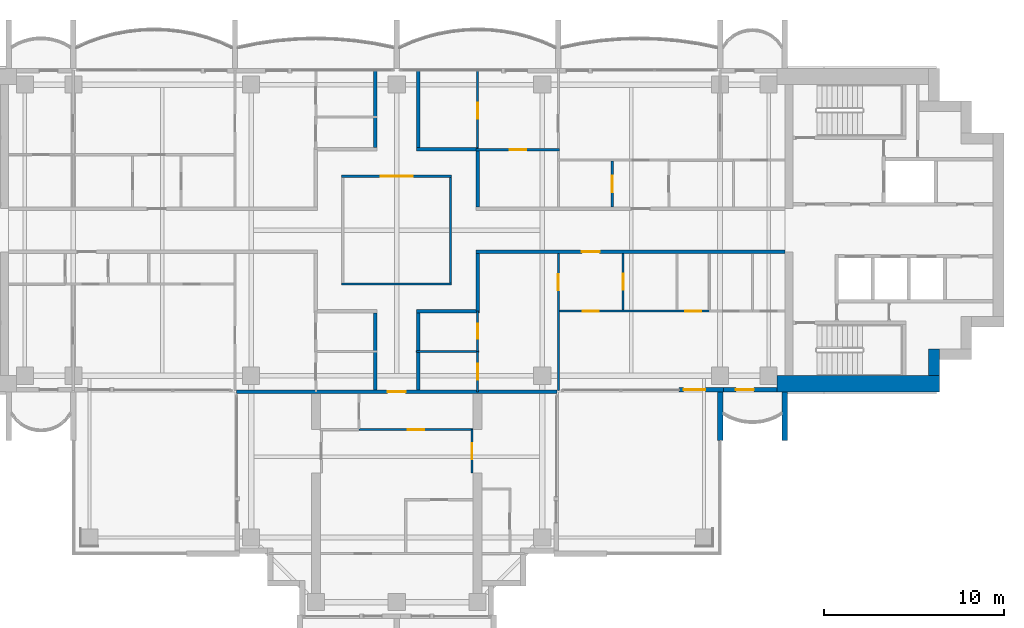
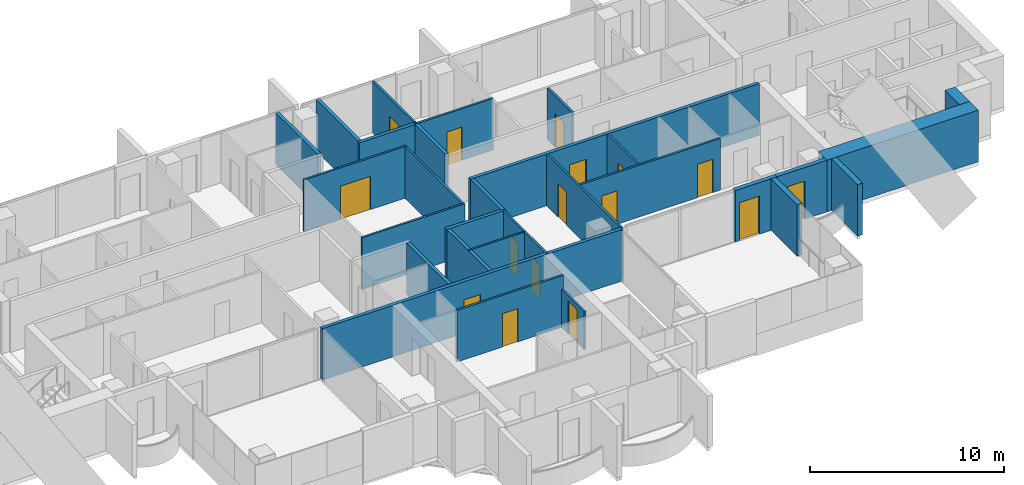
# One storey, part 11 of 18: 30 walls, 16 doors, 16 openings.
"""IFC4 building model written with IfcOpenShell, lengths in metres."""

from ifc_helpers import new_model, si_unit, direction, frame, frame_2d, origin, place, context, subcontext, project, spatial, rectangle, extrude, material, layer, layer_set, type_object, element, fill, save


model = new_model("IFC4")

# Units and contexts
model_context = context("Model", 3, precision=1e-05, world=origin(), true_north=direction((0.0, 1.0)))
body_context = subcontext(model_context, "Body", "Model", "MODEL_VIEW")
ifc_project = project(units=[si_unit("LENGTHUNIT", "METRE"), si_unit("AREAUNIT", "SQUARE_METRE"), si_unit("VOLUMEUNIT", "CUBIC_METRE"), si_unit("PLANEANGLEUNIT", "RADIAN"), si_unit("MASSUNIT", "GRAM", prefix="KILO")], contexts=[model_context])

# Site, building, storey
site_placement = place(None, origin())
site = spatial("IfcSite", under=ifc_project, at=site_placement, CompositionType="ELEMENT")
building_placement = place(site_placement, origin())
building = spatial("IfcBuilding", under=site, at=building_placement, Name="Perihelion Cross Residences", CompositionType="ELEMENT")
storey_placement = place(building_placement, frame((0.0, 0.0, 177.10009765625)))
storey = spatial("IfcBuildingStorey", under=building, at=storey_placement, Name="L43", CompositionType="ELEMENT", Elevation=177.10009765625)

# Walls
ifc_material_1 = material(Name="Plasterboard partition")
ifc_layer_1 = layer(ifc_material_1, 0.199951171875)
ifc_layer_set_1 = layer_set([ifc_layer_1], Name="Apartment separation wall 200")
wall_type_1 = type_object("IfcWallType", Name="Apartment separation wall 200", PredefinedType="PARTITIONING", material=ifc_layer_set_1)
wall_1_placement = place(storey_placement, frame((4.5, 4.416015625, 0.0), z_axis=(0.0, 0.0, 1.0), x_axis=(0.0, -1.0, 0.0)))
element("IfcWall", 1, at=wall_1_placement, inside=storey, type_object=wall_type_1, Name="Partition L43 W006", PredefinedType="PARTITIONING", context=body_context, shape_type="SweptSolid", body=[
    extrude(rectangle(XDim=3.115966796875, YDim=0.199951171875, at=frame_2d((1.55810546875, 0.0))), origin(), (0.0, 0.0, 1.0), 3.25),
])
wall_2_placement = place(storey_placement, frame((1.199951171875, 8.919921875, 0.0), z_axis=(0.0, 0.0, 1.0), x_axis=(0.0, -1.0, 0.0)))
element("IfcWall", 2, at=wall_2_placement, inside=storey, type_object=wall_type_1, Name="Partition L43 W007", PredefinedType="PARTITIONING", context=body_context, shape_type="SweptSolid", body=[
    extrude(rectangle(XDim=4.31982421875, YDim=0.199951171875, at=frame_2d((2.159912109375, 0.0))), origin(), (0.0, 0.0, 1.0), 3.25),
])
wall_3_placement = place(storey_placement, frame((1.10009765625, 4.5, 0.0), z_axis=(0.0, 0.0, 1.0), x_axis=(1.0, 0.0, 0.0)))
element("IfcWall", 3, at=wall_3_placement, inside=storey, type_object=wall_type_1, Name="Partition L43 W008", PredefinedType="PARTITIONING", context=body_context, shape_type="SweptSolid", body=[
    extrude(rectangle(XDim=3.4599609375, YDim=0.199951171875, at=frame_2d((1.72998046875, 0.0))), origin(), (0.0, 0.0, 1.0), 3.25),
])

# Wall, opening, door
wall_4_placement = place(storey_placement, frame((21.60009765625, -1.199951171875, 0.0), z_axis=(0.0, 0.0, 1.0), x_axis=(-1.0, 0.0, 0.0)))
wall_4 = element("IfcWall", 4, at=wall_4_placement, inside=storey, type_object=wall_type_1, Name="Partition L43 W009", PredefinedType="PARTITIONING", context=body_context, shape_type="SweptSolid", body=[
    extrude(rectangle(XDim=17.2001953125, YDim=0.199951171875, at=frame_2d((8.60009765625, 0.0))), origin(), (0.0, 0.0, 1.0), 3.25),
])
opening_1_placement = place(wall_4_placement, frame((10.300048828125, 0.0, 0.0)))
opening_1 = element("IfcOpeningElement", 5, at=opening_1_placement, cuts=wall_4, Name="Opening L43.A41", PredefinedType="OPENING", context=body_context, shape_type="SweptSolid", body=[
    extrude(rectangle(XDim=1.0, YDim=2.10009765625, at=frame_2d((0.5, 1.050048828125))), frame((0.0, 0.10986328125, 0.0), z_axis=(0.0, -1.0, 0.0), x_axis=(1.0, 0.0, 0.0)), (0.0, 0.0, 1.0), 0.219970703125),
])
ifc_material_2 = material(Name="Timber door leaf", Category="wood")
door_type_1 = type_object("IfcDoorType", Name="Flat entrance door 1000 x 2100", OperationType="SINGLE_SWING_LEFT", PredefinedType="DOOR", material=ifc_material_2)
door_1_placement = place(opening_1_placement, origin())
door_1 = element("IfcDoor", 6, at=door_1_placement, inside=storey, type_object=door_type_1, Name="Door L43.A41", OperationType="SINGLE_SWING_LEFT", OverallHeight=2.10009765625, OverallWidth=1.0, PredefinedType="DOOR", context=body_context, shape_type="SweptSolid", body=[
    extrude(rectangle(XDim=1.0, YDim=2.10009765625, at=frame_2d((0.5, 1.050048828125))), frame((0.0, 0.02490234375, 0.0), z_axis=(0.0, -1.0, 0.0), x_axis=(1.0, 0.0, 0.0)), (0.0, 0.0, 1.0), 0.050048828125),
])
fill(opening_1, door_1)

# Walls
wall_5_placement = place(storey_placement, frame((4.5, -1.300048828125, 0.0), z_axis=(0.0, 0.0, 1.0), x_axis=(0.0, -1.0, 0.0)))
element("IfcWall", 7, at=wall_5_placement, inside=storey, type_object=wall_type_1, Name="Partition L43 W010", PredefinedType="PARTITIONING", context=body_context, shape_type="SweptSolid", body=[
    extrude(rectangle(XDim=3.199951171875, YDim=0.199951171875, at=frame_2d((1.60009765625, 0.0))), origin(), (0.0, 0.0, 1.0), 3.25),
])
wall_6_placement = place(storey_placement, frame((4.60009765625, -4.5, 0.0), z_axis=(0.0, 0.0, 1.0), x_axis=(-1.0, 0.0, 0.0)))
element("IfcWall", 8, at=wall_6_placement, inside=storey, type_object=wall_type_1, Name="Partition L43 W011", PredefinedType="PARTITIONING", context=body_context, shape_type="SweptSolid", body=[
    extrude(rectangle(XDim=3.5, YDim=0.199951171875, at=frame_2d((1.75, 0.0))), origin(), (0.0, 0.0, 1.0), 3.25),
])
wall_7_placement = place(storey_placement, frame((1.199951171875, -4.60009765625, 0.0), z_axis=(0.0, 0.0, 1.0), x_axis=(0.0, -1.0, 0.0)))
element("IfcWall", 9, at=wall_7_placement, inside=storey, type_object=wall_type_1, Name="Partition L43 W012", PredefinedType="PARTITIONING", context=body_context, shape_type="SweptSolid", body=[
    extrude(rectangle(XDim=4.2998046875, YDim=0.199951171875, at=frame_2d((2.14990234375, 0.0))), origin(), (0.0, 0.0, 1.0), 3.25),
])
wall_8_placement = place(storey_placement, frame((-1.199951171875, 4.60009765625, 0.0), z_axis=(0.0, 0.0, 1.0), x_axis=(0.0, 1.0, 0.0)))
element("IfcWall", 10, at=wall_8_placement, inside=storey, type_object=wall_type_1, Name="Partition L43 W016", PredefinedType="PARTITIONING", context=body_context, shape_type="SweptSolid", body=[
    extrude(rectangle(XDim=4.31982421875, YDim=0.199951171875, at=frame_2d((2.159912109375, 0.0))), origin(), (0.0, 0.0, 1.0), 3.25),
])
wall_9_placement = place(storey_placement, frame((-1.199951171875, -8.89990234375, 0.0), z_axis=(0.0, 0.0, 1.0), x_axis=(0.0, 1.0, 0.0)))
element("IfcWall", 11, at=wall_9_placement, inside=storey, type_object=wall_type_1, Name="Partition L43 W019", PredefinedType="PARTITIONING", context=body_context, shape_type="SweptSolid", body=[
    extrude(rectangle(XDim=4.2998046875, YDim=0.199951171875, at=frame_2d((2.14990234375, 0.0))), origin(), (0.0, 0.0, 1.0), 3.25),
])

# Wall, opening, door
wall_10_placement = place(storey_placement, frame((8.919921875, -9.0, 0.0), z_axis=(0.0, 0.0, 1.0), x_axis=(-1.0, 0.0, 0.0)))
wall_10 = element("IfcWall", 12, at=wall_10_placement, inside=storey, type_object=wall_type_1, Name="Partition L43 W021", PredefinedType="PARTITIONING", context=body_context, shape_type="SweptSolid", body=[
    extrude(rectangle(XDim=17.83984375, YDim=0.199951171875, at=frame_2d((8.919921875, 0.0))), origin(), (0.0, 0.0, 1.0), 3.25),
])
opening_2_placement = place(wall_10_placement, frame((8.419921875, 0.0, 0.0)))
opening_2 = element("IfcOpeningElement", 13, at=opening_2_placement, cuts=wall_10, Name="Opening L43.A34", PredefinedType="OPENING", context=body_context, shape_type="SweptSolid", body=[
    extrude(rectangle(XDim=1.0, YDim=2.10009765625, at=frame_2d((0.5, 1.050048828125))), frame((0.0, 0.10986328125, 0.0), z_axis=(0.0, -1.0, 0.0), x_axis=(1.0, 0.0, 0.0)), (0.0, 0.0, 1.0), 0.219970703125),
])
door_2_placement = place(opening_2_placement, origin())
door_2 = element("IfcDoor", 14, at=door_2_placement, inside=storey, type_object=door_type_1, Name="Door L43.A34", OperationType="SINGLE_SWING_RIGHT", OverallHeight=2.10009765625, OverallWidth=1.0, PredefinedType="DOOR", context=body_context, shape_type="SweptSolid", body=[
    extrude(rectangle(XDim=1.0, YDim=2.10009765625, at=frame_2d((0.5, 1.050048828125))), frame((0.0, 0.02490234375, 0.0), z_axis=(0.0, -1.0, 0.0), x_axis=(1.0, 0.0, 0.0)), (0.0, 0.0, 1.0), 0.050048828125),
])
fill(opening_2, door_2)

ifc_material_3 = material(Name="Concrete C30/37, bronze-clad", Category="concrete")
ifc_layer_2 = layer(ifc_material_3, 0.25)
ifc_layer_set_2 = layer_set([ifc_layer_2], Name="Bronze-clad pier wall 250")
wall_type_2 = type_object("IfcWallType", Name="Bronze-clad pier wall 250", PredefinedType="SOLIDWALL", material=ifc_layer_set_2)
wall_11_placement = place(storey_placement, frame((15.72509765625, -8.875, 0.0), z_axis=(0.0, 0.0, 1.0), x_axis=(1.0, 0.0, 0.0)))
wall_11 = element("IfcWall", 15, at=wall_11_placement, inside=storey, type_object=wall_type_2, Name="Wall FW1 L43 east side south bay 1 pier", PredefinedType="SOLIDWALL", context=body_context, shape_type="SweptSolid", body=[
    extrude(rectangle(XDim=2.474853515625, YDim=0.25, at=frame_2d((1.2373046875, 0.0))), origin(), (0.0, 0.0, 1.0), 3.25),
])
opening_3_placement = place(wall_11_placement, frame((0.25, 0.0, 0.0)))
opening_3 = element("IfcOpeningElement", 16, at=opening_3_placement, cuts=wall_11, Name="Opening L43.E13", PredefinedType="OPENING", context=body_context, shape_type="SweptSolid", body=[
    extrude(rectangle(XDim=1.199951171875, YDim=2.39990234375, at=frame_2d((0.60009765625, 1.199951171875))), frame((0.0, 0.135009765625, 0.0), z_axis=(0.0, -1.0, 0.0), x_axis=(1.0, 0.0, 0.0)), (0.0, 0.0, 1.0), 0.27001953125),
])
ifc_material_4 = material(Name="Bronze anodised aluminium, glazed", Category="aluminium")
door_type_2 = type_object("IfcDoorType", Name="Balcony door 1200 x 2400", OperationType="NOTDEFINED", PredefinedType="DOOR", material=ifc_material_4)
door_3_placement = place(opening_3_placement, origin())
door_3 = element("IfcDoor", 17, at=door_3_placement, inside=storey, type_object=door_type_2, Name="Door L43.E13 east side south bay 1", OperationType="SINGLE_SWING_LEFT", OverallHeight=2.39990234375, OverallWidth=1.199951171875, PredefinedType="DOOR", context=body_context, shape_type="SweptSolid", body=[
    extrude(rectangle(XDim=1.199951171875, YDim=2.39990234375, at=frame_2d((0.60009765625, 1.199951171875))), frame((0.0, 0.02490234375, 0.0), z_axis=(0.0, -1.0, 0.0), x_axis=(1.0, 0.0, 0.0)), (0.0, 0.0, 1.0), 0.050048828125),
])
fill(opening_3, door_3)

wall_12_placement = place(storey_placement, frame((18.199951171875, -8.875, 0.0), z_axis=(0.0, 0.0, 1.0), x_axis=(1.0, 0.0, 0.0)))
wall_12 = element("IfcWall", 18, at=wall_12_placement, inside=storey, type_object=wall_type_2, Name="Wall FW1 L43 east side south bay 2 pier", PredefinedType="SOLIDWALL", context=body_context, shape_type="SweptSolid", body=[
    extrude(rectangle(XDim=2.97509765625, YDim=0.25, at=frame_2d((1.487548828125, 0.0))), origin(), (0.0, 0.0, 1.0), 3.25),
])
opening_4_placement = place(wall_12_placement, frame((0.675048828125, 0.0, 0.0)))
opening_4 = element("IfcOpeningElement", 19, at=opening_4_placement, cuts=wall_12, Name="Opening L43.E14", PredefinedType="OPENING", context=body_context, shape_type="SweptSolid", body=[
    extrude(rectangle(XDim=1.0, YDim=2.39990234375, at=frame_2d((0.5, 1.199951171875))), frame((0.0, 0.135009765625, 0.0), z_axis=(0.0, -1.0, 0.0), x_axis=(1.0, 0.0, 0.0)), (0.0, 0.0, 1.0), 0.27001953125),
])
ifc_material_5 = material(Name="Bronze anodised aluminium, glazed", Category="aluminium")
door_type_3 = type_object("IfcDoorType", Name="Balcony door 1000 x 2400", OperationType="NOTDEFINED", PredefinedType="DOOR", material=ifc_material_5)
door_4_placement = place(opening_4_placement, origin())
door_4 = element("IfcDoor", 20, at=door_4_placement, inside=storey, type_object=door_type_3, Name="Door L43.E14 east side south bay 2", OperationType="SINGLE_SWING_RIGHT", OverallHeight=2.39990234375, OverallWidth=1.0, PredefinedType="DOOR", context=body_context, shape_type="SweptSolid", body=[
    extrude(rectangle(XDim=1.0, YDim=2.39990234375, at=frame_2d((0.5, 1.199951171875))), frame((0.0, 0.02490234375, 0.0), z_axis=(0.0, -1.0, 0.0), x_axis=(1.0, 0.0, 0.0)), (0.0, 0.0, 1.0), 0.050048828125),
])
fill(opening_4, door_4)

# Walls
ifc_material_6 = material(Name="Concrete C60/75", Category="concrete")
ifc_layer_3 = layer(ifc_material_6, 0.60009765625)
ifc_layer_set_3 = layer_set([ifc_layer_3], Name="Core wall, outer 600")
wall_type_3 = type_object("IfcWallType", Name="Core wall, outer 600", PredefinedType="SHEAR", material=ifc_layer_set_3)
wall_13_placement = place(storey_placement, frame((29.89990234375, -8.10009765625, 0.0), z_axis=(0.0, 0.0, 1.0), x_axis=(0.0, 1.0, 0.0)))
element("IfcWall", 21, at=wall_13_placement, inside=storey, type_object=wall_type_3, Name="East core core wall, outer", PredefinedType="SHEAR", context=body_context, shape_type="SweptSolid", body=[
    extrude(rectangle(XDim=1.5, YDim=0.60009765625, at=frame_2d((0.75, 0.0))), origin(), (0.0, 0.0, 1.0), 3.25),
])
ifc_material_7 = material(Name="Concrete C60/75", Category="concrete")
ifc_layer_4 = layer(ifc_material_7, 0.89990234375)
ifc_layer_set_4 = layer_set([ifc_layer_4], Name="Core wall, outer 900")
wall_type_4 = type_object("IfcWallType", Name="Core wall, outer 900", PredefinedType="SHEAR", material=ifc_layer_set_4)
wall_14_placement = place(storey_placement, frame((21.175048828125, -8.550048828125, 0.0), z_axis=(0.0, 0.0, 1.0), x_axis=(1.0, 0.0, 0.0)))
element("IfcWall", 22, at=wall_14_placement, inside=storey, type_object=wall_type_4, Name="East core core wall, outer", PredefinedType="SHEAR", context=body_context, shape_type="SweptSolid", body=[
    extrude(rectangle(XDim=9.02490234375, YDim=0.89990234375, at=frame_2d((4.512451171875, 0.0))), origin(), (0.0, 0.0, 1.0), 3.25),
])

# Wall, opening, door
ifc_material_8 = material(Name="Plasterboard partition")
ifc_layer_5 = layer(ifc_material_8, 0.1201171875)
ifc_layer_set_5 = layer_set([ifc_layer_5], Name="Infill panel 120")
wall_type_5 = type_object("IfcWallType", Name="Infill panel 120", PredefinedType="PARTITIONING", material=ifc_layer_set_5)
wall_15_placement = place(storey_placement, frame((4.18994140625, -11.10009765625, 0.0), z_axis=(0.0, 0.0, 1.0), x_axis=(0.0, -1.0, 0.0)))
wall_15 = element("IfcWall", 23, at=wall_15_placement, inside=storey, type_object=wall_type_5, Name="Partition L43 WI01", PredefinedType="PARTITIONING", context=body_context, shape_type="SweptSolid", body=[
    extrude(rectangle(XDim=2.39990234375, YDim=0.1201171875, at=frame_2d((1.199951171875, 0.0))), origin(), (0.0, 0.0, 1.0), 2.39990234375),
])
opening_5_placement = place(wall_15_placement, frame((0.75, 0.0, 0.0)))
opening_5 = element("IfcOpeningElement", 24, at=opening_5_placement, cuts=wall_15, Name="Opening L43.A44", PredefinedType="OPENING", context=body_context, shape_type="SweptSolid", body=[
    extrude(rectangle(XDim=0.89990234375, YDim=2.10009765625, at=frame_2d((0.449951171875, 1.050048828125))), frame((0.0, 0.070068359375, 0.0), z_axis=(0.0, -1.0, 0.0), x_axis=(1.0, 0.0, 0.0)), (0.0, 0.0, 1.0), 0.14013671875),
])
ifc_material_9 = material(Name="Timber door leaf", Category="wood")
door_type_4 = type_object("IfcDoorType", Name="Interior room door 900 x 2100", OperationType="SINGLE_SWING_LEFT", PredefinedType="DOOR", material=ifc_material_9)
door_5_placement = place(opening_5_placement, origin())
door_5 = element("IfcDoor", 25, at=door_5_placement, inside=storey, type_object=door_type_4, Name="Door L43.A44", OperationType="SINGLE_SWING_LEFT", OverallHeight=2.10009765625, OverallWidth=0.89990234375, PredefinedType="DOOR", context=body_context, shape_type="SweptSolid", body=[
    extrude(rectangle(XDim=0.89990234375, YDim=2.10009765625, at=frame_2d((0.449951171875, 1.050048828125))), frame((0.0, 0.02490234375, 0.0), z_axis=(0.0, -1.0, 0.0), x_axis=(1.0, 0.0, 0.0)), (0.0, 0.0, 1.0), 0.050048828125),
])
fill(opening_5, door_5)

# Walls
ifc_material_10 = material(Name="Plasterboard partition")
ifc_layer_6 = layer(ifc_material_10, 0.1201171875)
ifc_layer_set_6 = layer_set([ifc_layer_6], Name="Partition wall 120")
wall_type_6 = type_object("IfcWallType", Name="Partition wall 120", PredefinedType="PARTITIONING", material=ifc_layer_set_6)
wall_16_placement = place(storey_placement, frame((-3.06005859375, -3.0, 0.0), z_axis=(0.0, 0.0, 1.0), x_axis=(1.0, 0.0, 0.0)))
element("IfcWall", 26, at=wall_16_placement, inside=storey, type_object=wall_type_6, Name="Partition L43 W001", PredefinedType="PARTITIONING", context=body_context, shape_type="SweptSolid", body=[
    extrude(rectangle(XDim=6.1201171875, YDim=0.1201171875, at=frame_2d((3.06005859375, 0.0))), origin(), (0.0, 0.0, 1.0), 3.25),
])
wall_17_placement = place(storey_placement, frame((3.0, -2.93994140625, 0.0), z_axis=(0.0, 0.0, 1.0), x_axis=(0.0, 1.0, 0.0)))
element("IfcWall", 27, at=wall_17_placement, inside=storey, type_object=wall_type_6, Name="Partition L43 W002", PredefinedType="PARTITIONING", context=body_context, shape_type="SweptSolid", body=[
    extrude(rectangle(XDim=5.8798828125, YDim=0.1201171875, at=frame_2d((2.93994140625, 0.0))), origin(), (0.0, 0.0, 1.0), 3.25),
])

# Wall, opening, door
wall_18_placement = place(storey_placement, frame((3.06005859375, 3.0, 0.0), z_axis=(0.0, 0.0, 1.0), x_axis=(-1.0, 0.0, 0.0)))
wall_18 = element("IfcWall", 28, at=wall_18_placement, inside=storey, type_object=wall_type_6, Name="Partition L43 W003", PredefinedType="PARTITIONING", context=body_context, shape_type="SweptSolid", body=[
    extrude(rectangle(XDim=6.1201171875, YDim=0.1201171875, at=frame_2d((3.06005859375, 0.0))), origin(), (0.0, 0.0, 1.0), 3.25),
])
opening_6_placement = place(wall_18_placement, frame((2.159912109375, 0.0, 0.0)))
opening_6 = element("IfcOpeningElement", 29, at=opening_6_placement, cuts=wall_18, Name="Opening L43.A01", PredefinedType="OPENING", context=body_context, shape_type="SweptSolid", body=[
    extrude(rectangle(XDim=1.800048828125, YDim=2.10009765625, at=frame_2d((0.89990234375, 1.050048828125))), frame((0.0, 0.070068359375, 0.0), z_axis=(0.0, -1.0, 0.0), x_axis=(1.0, 0.0, 0.0)), (0.0, 0.0, 1.0), 0.14013671875),
])
ifc_material_11 = material(Name="Glazed timber door leaf", Category="wood")
door_type_5 = type_object("IfcDoorType", Name="Interior double leaf door 1800 x 2100", OperationType="DOUBLE_DOOR_SINGLE_SWING", PredefinedType="DOOR", material=ifc_material_11)
door_6_placement = place(opening_6_placement, origin())
door_6 = element("IfcDoor", 30, at=door_6_placement, inside=storey, type_object=door_type_5, Name="Door L43.A01", OperationType="SINGLE_SWING_LEFT", OverallHeight=2.10009765625, OverallWidth=1.800048828125, PredefinedType="DOOR", context=body_context, shape_type="SweptSolid", body=[
    extrude(rectangle(XDim=1.800048828125, YDim=2.10009765625, at=frame_2d((0.89990234375, 1.050048828125))), frame((0.0, 0.02490234375, 0.0), z_axis=(0.0, -1.0, 0.0), x_axis=(1.0, 0.0, 0.0)), (0.0, 0.0, 1.0), 0.050048828125),
])
fill(opening_6, door_6)

wall_19_placement = place(storey_placement, frame((12.0, 3.840087890625, 0.0), z_axis=(0.0, 0.0, 1.0), x_axis=(0.0, -1.0, 0.0)))
wall_19 = element("IfcWall", 31, at=wall_19_placement, inside=storey, type_object=wall_type_6, Name="Partition L43 W022", PredefinedType="PARTITIONING", context=body_context, shape_type="SweptSolid", body=[
    extrude(rectangle(XDim=2.5400390625, YDim=0.1201171875, at=frame_2d((1.27001953125, 0.0))), origin(), (0.0, 0.0, 1.0), 3.25),
])
opening_7_placement = place(wall_19_placement, frame((0.820068359375, 0.0, 0.0)))
opening_7 = element("IfcOpeningElement", 32, at=opening_7_placement, cuts=wall_19, Name="Opening L43.A03", PredefinedType="OPENING", context=body_context, shape_type="SweptSolid", body=[
    extrude(rectangle(XDim=0.89990234375, YDim=2.10009765625, at=frame_2d((0.449951171875, 1.050048828125))), frame((0.0, 0.070068359375, 0.0), z_axis=(0.0, -1.0, 0.0), x_axis=(1.0, 0.0, 0.0)), (0.0, 0.0, 1.0), 0.14013671875),
])
door_7_placement = place(opening_7_placement, origin())
door_7 = element("IfcDoor", 33, at=door_7_placement, inside=storey, type_object=door_type_4, Name="Door L43.A03", OperationType="SINGLE_SWING_RIGHT", OverallHeight=2.10009765625, OverallWidth=0.89990234375, PredefinedType="DOOR", context=body_context, shape_type="SweptSolid", body=[
    extrude(rectangle(XDim=0.89990234375, YDim=2.10009765625, at=frame_2d((0.449951171875, 1.050048828125))), frame((0.0, 0.02490234375, 0.0), z_axis=(0.0, -1.0, 0.0), x_axis=(1.0, 0.0, 0.0)), (0.0, 0.0, 1.0), 0.050048828125),
])
fill(opening_7, door_7)

wall_20_placement = place(storey_placement, frame((4.39990234375, 4.47607421875, 0.0), z_axis=(0.0, 0.0, 1.0), x_axis=(1.0, 0.0, 0.0)))
wall_20 = element("IfcWall", 34, at=wall_20_placement, inside=storey, type_object=wall_type_6, Name="Partition L43 W030", PredefinedType="PARTITIONING", context=body_context, shape_type="SweptSolid", body=[
    extrude(rectangle(XDim=4.66015625, YDim=0.1201171875, at=frame_2d((2.330078125, 0.0))), origin(), (0.0, 0.0, 1.0), 3.25),
])
opening_8_placement = place(wall_20_placement, frame((1.89990234375, 0.0, 0.0)))
opening_8 = element("IfcOpeningElement", 35, at=opening_8_placement, cuts=wall_20, Name="Opening L43.A04", PredefinedType="OPENING", context=body_context, shape_type="SweptSolid", body=[
    extrude(rectangle(XDim=0.89990234375, YDim=2.10009765625, at=frame_2d((0.449951171875, 1.050048828125))), frame((0.0, 0.070068359375, 0.0), z_axis=(0.0, -1.0, 0.0), x_axis=(1.0, 0.0, 0.0)), (0.0, 0.0, 1.0), 0.14013671875),
])
door_8_placement = place(opening_8_placement, origin())
door_8 = element("IfcDoor", 36, at=door_8_placement, inside=storey, type_object=door_type_4, Name="Door L43.A04", OperationType="SINGLE_SWING_LEFT", OverallHeight=2.10009765625, OverallWidth=0.89990234375, PredefinedType="DOOR", context=body_context, shape_type="SweptSolid", body=[
    extrude(rectangle(XDim=0.89990234375, YDim=2.10009765625, at=frame_2d((0.449951171875, 1.050048828125))), frame((0.0, 0.02490234375, 0.0), z_axis=(0.0, -1.0, 0.0), x_axis=(1.0, 0.0, 0.0)), (0.0, 0.0, 1.0), 0.050048828125),
])
fill(opening_8, door_8)

wall_21_placement = place(storey_placement, frame((4.5, 4.60009765625, 0.0), z_axis=(0.0, 0.0, 1.0), x_axis=(0.0, 1.0, 0.0)))
wall_21 = element("IfcWall", 37, at=wall_21_placement, inside=storey, type_object=wall_type_6, Name="Partition L43 W031", PredefinedType="PARTITIONING", context=body_context, shape_type="SweptSolid", body=[
    extrude(rectangle(XDim=4.31982421875, YDim=0.1201171875, at=frame_2d((2.159912109375, 0.0))), origin(), (0.0, 0.0, 1.0), 3.25),
])
opening_9_placement = place(wall_21_placement, frame((1.60009765625, 0.0, 0.0)))
opening_9 = element("IfcOpeningElement", 38, at=opening_9_placement, cuts=wall_21, Name="Opening L43.A05", PredefinedType="OPENING", context=body_context, shape_type="SweptSolid", body=[
    extrude(rectangle(XDim=0.89990234375, YDim=2.10009765625, at=frame_2d((0.449951171875, 1.050048828125))), frame((0.0, 0.070068359375, 0.0), z_axis=(0.0, -1.0, 0.0), x_axis=(1.0, 0.0, 0.0)), (0.0, 0.0, 1.0), 0.14013671875),
])
door_9_placement = place(opening_9_placement, origin())
door_9 = element("IfcDoor", 39, at=door_9_placement, inside=storey, type_object=door_type_4, Name="Door L43.A05", OperationType="SINGLE_SWING_LEFT", OverallHeight=2.10009765625, OverallWidth=0.89990234375, PredefinedType="DOOR", context=body_context, shape_type="SweptSolid", body=[
    extrude(rectangle(XDim=0.89990234375, YDim=2.10009765625, at=frame_2d((0.449951171875, 1.050048828125))), frame((0.0, 0.02490234375, 0.0), z_axis=(0.0, -1.0, 0.0), x_axis=(1.0, 0.0, 0.0)), (0.0, 0.0, 1.0), 0.050048828125),
])
fill(opening_9, door_9)

wall_22_placement = place(storey_placement, frame((12.60009765625, -1.300048828125, 0.0), z_axis=(0.0, 0.0, 1.0), x_axis=(0.0, -1.0, 0.0)))
wall_22 = element("IfcWall", 40, at=wall_22_placement, inside=storey, type_object=wall_type_6, Name="Partition L43 W032", PredefinedType="PARTITIONING", context=body_context, shape_type="SweptSolid", body=[
    extrude(rectangle(XDim=3.139892578125, YDim=0.1201171875, at=frame_2d((1.56982421875, 0.0))), origin(), (0.0, 0.0, 1.0), 3.25),
])
opening_10_placement = place(wall_22_placement, frame((1.1201171875, 0.0, 0.0)))
opening_10 = element("IfcOpeningElement", 41, at=opening_10_placement, cuts=wall_22, Name="Opening L43.A14", PredefinedType="OPENING", context=body_context, shape_type="SweptSolid", body=[
    extrude(rectangle(XDim=0.89990234375, YDim=2.10009765625, at=frame_2d((0.449951171875, 1.050048828125))), frame((0.0, 0.070068359375, 0.0), z_axis=(0.0, -1.0, 0.0), x_axis=(1.0, 0.0, 0.0)), (0.0, 0.0, 1.0), 0.14013671875),
])
door_10_placement = place(opening_10_placement, origin())
door_10 = element("IfcDoor", 42, at=door_10_placement, inside=storey, type_object=door_type_4, Name="Door L43.A14", OperationType="SINGLE_SWING_RIGHT", OverallHeight=2.10009765625, OverallWidth=0.89990234375, PredefinedType="DOOR", context=body_context, shape_type="SweptSolid", body=[
    extrude(rectangle(XDim=0.89990234375, YDim=2.10009765625, at=frame_2d((0.449951171875, 1.050048828125))), frame((0.0, 0.02490234375, 0.0), z_axis=(0.0, -1.0, 0.0), x_axis=(1.0, 0.0, 0.0)), (0.0, 0.0, 1.0), 0.050048828125),
])
fill(opening_10, door_10)

# Wall, openings, doors
wall_23_placement = place(storey_placement, frame((17.39990234375, -4.5, 0.0), z_axis=(0.0, 0.0, 1.0), x_axis=(-1.0, 0.0, 0.0)))
wall_23 = element("IfcWall", 43, at=wall_23_placement, inside=storey, type_object=wall_type_6, Name="Partition L43 W033", PredefinedType="PARTITIONING", context=body_context, shape_type="SweptSolid", body=[
    extrude(rectangle(XDim=8.4599609375, YDim=0.1201171875, at=frame_2d((4.22998046875, 0.0))), origin(), (0.0, 0.0, 1.0), 3.25),
])
opening_11_placement = place(wall_23_placement, frame((0.449951171875, 0.0, 0.0)))
opening_11 = element("IfcOpeningElement", 44, at=opening_11_placement, cuts=wall_23, Name="Opening L43.A15", PredefinedType="OPENING", context=body_context, shape_type="SweptSolid", body=[
    extrude(rectangle(XDim=0.89990234375, YDim=2.10009765625, at=frame_2d((0.449951171875, 1.050048828125))), frame((0.0, 0.070068359375, 0.0), z_axis=(0.0, -1.0, 0.0), x_axis=(1.0, 0.0, 0.0)), (0.0, 0.0, 1.0), 0.14013671875),
])
opening_12_placement = place(wall_23_placement, frame((6.14990234375, 0.0, 0.0)))
opening_12 = element("IfcOpeningElement", 45, at=opening_12_placement, cuts=wall_23, Name="Opening L43.A17", PredefinedType="OPENING", context=body_context, shape_type="SweptSolid", body=[
    extrude(rectangle(XDim=0.89990234375, YDim=2.10009765625, at=frame_2d((0.449951171875, 1.050048828125))), frame((0.0, 0.070068359375, 0.0), z_axis=(0.0, -1.0, 0.0), x_axis=(1.0, 0.0, 0.0)), (0.0, 0.0, 1.0), 0.14013671875),
])
door_11_placement = place(opening_11_placement, origin())
door_11 = element("IfcDoor", 46, at=door_11_placement, inside=storey, type_object=door_type_4, Name="Door L43.A15", OperationType="SINGLE_SWING_RIGHT", OverallHeight=2.10009765625, OverallWidth=0.89990234375, PredefinedType="DOOR", context=body_context, shape_type="SweptSolid", body=[
    extrude(rectangle(XDim=0.89990234375, YDim=2.10009765625, at=frame_2d((0.449951171875, 1.050048828125))), frame((0.0, 0.02490234375, 0.0), z_axis=(0.0, -1.0, 0.0), x_axis=(1.0, 0.0, 0.0)), (0.0, 0.0, 1.0), 0.050048828125),
])
fill(opening_11, door_11)
door_12_placement = place(opening_12_placement, origin())
door_12 = element("IfcDoor", 47, at=door_12_placement, inside=storey, type_object=door_type_4, Name="Door L43.A17", OperationType="SINGLE_SWING_RIGHT", OverallHeight=2.10009765625, OverallWidth=0.89990234375, PredefinedType="DOOR", context=body_context, shape_type="SweptSolid", body=[
    extrude(rectangle(XDim=0.89990234375, YDim=2.10009765625, at=frame_2d((0.449951171875, 1.050048828125))), frame((0.0, 0.02490234375, 0.0), z_axis=(0.0, -1.0, 0.0), x_axis=(1.0, 0.0, 0.0)), (0.0, 0.0, 1.0), 0.050048828125),
])
fill(opening_12, door_12)

# Wall, opening, door
wall_24_placement = place(storey_placement, frame((9.0, -8.919921875, 0.0), z_axis=(0.0, 0.0, 1.0), x_axis=(0.0, 1.0, 0.0)))
wall_24 = element("IfcWall", 48, at=wall_24_placement, inside=storey, type_object=wall_type_6, Name="Partition L43 W034", PredefinedType="PARTITIONING", context=body_context, shape_type="SweptSolid", body=[
    extrude(rectangle(XDim=7.619873046875, YDim=0.1201171875, at=frame_2d((3.81005859375, 0.0))), origin(), (0.0, 0.0, 1.0), 3.25),
])
opening_13_placement = place(wall_24_placement, frame((5.570068359375, 0.0, 0.0)))
opening_13 = element("IfcOpeningElement", 49, at=opening_13_placement, cuts=wall_24, Name="Opening L43.A13", PredefinedType="OPENING", context=body_context, shape_type="SweptSolid", body=[
    extrude(rectangle(XDim=0.89990234375, YDim=2.10009765625, at=frame_2d((0.449951171875, 1.050048828125))), frame((0.0, 0.070068359375, 0.0), z_axis=(0.0, -1.0, 0.0), x_axis=(1.0, 0.0, 0.0)), (0.0, 0.0, 1.0), 0.14013671875),
])
door_13_placement = place(opening_13_placement, origin())
door_13 = element("IfcDoor", 50, at=door_13_placement, inside=storey, type_object=door_type_4, Name="Door L43.A13", OperationType="SINGLE_SWING_LEFT", OverallHeight=2.10009765625, OverallWidth=0.89990234375, PredefinedType="DOOR", context=body_context, shape_type="SweptSolid", body=[
    extrude(rectangle(XDim=0.89990234375, YDim=2.10009765625, at=frame_2d((0.449951171875, 1.050048828125))), frame((0.0, 0.02490234375, 0.0), z_axis=(0.0, -1.0, 0.0), x_axis=(1.0, 0.0, 0.0)), (0.0, 0.0, 1.0), 0.050048828125),
])
fill(opening_13, door_13)

wall_25_placement = place(storey_placement, frame((4.5, -9.0, 0.0), z_axis=(0.0, 0.0, 1.0), x_axis=(0.0, 1.0, 0.0)))
wall_25 = element("IfcWall", 51, at=wall_25_placement, inside=storey, type_object=wall_type_6, Name="Partition L43 W041", PredefinedType="PARTITIONING", context=body_context, shape_type="SweptSolid", body=[
    extrude(rectangle(XDim=2.25, YDim=0.1201171875, at=frame_2d((1.125, 0.0))), origin(), (0.0, 0.0, 1.0), 3.25),
])
opening_14_placement = place(wall_25_placement, frame((0.675048828125, 0.0, 0.0)))
opening_14 = element("IfcOpeningElement", 52, at=opening_14_placement, cuts=wall_25, Name="Opening L43.A16", PredefinedType="OPENING", context=body_context, shape_type="SweptSolid", body=[
    extrude(rectangle(XDim=0.89990234375, YDim=2.10009765625, at=frame_2d((0.449951171875, 1.050048828125))), frame((0.0, 0.070068359375, 0.0), z_axis=(0.0, -1.0, 0.0), x_axis=(1.0, 0.0, 0.0)), (0.0, 0.0, 1.0), 0.14013671875),
])
door_14_placement = place(opening_14_placement, origin())
door_14 = element("IfcDoor", 53, at=door_14_placement, inside=storey, type_object=door_type_4, Name="Door L43.A16", OperationType="SINGLE_SWING_LEFT", OverallHeight=2.10009765625, OverallWidth=0.89990234375, PredefinedType="DOOR", context=body_context, shape_type="SweptSolid", body=[
    extrude(rectangle(XDim=0.89990234375, YDim=2.10009765625, at=frame_2d((0.449951171875, 1.050048828125))), frame((0.0, 0.02490234375, 0.0), z_axis=(0.0, -1.0, 0.0), x_axis=(1.0, 0.0, 0.0)), (0.0, 0.0, 1.0), 0.050048828125),
])
fill(opening_14, door_14)

wall_26_placement = place(storey_placement, frame((4.25, -11.10009765625, 0.0), z_axis=(0.0, 0.0, 1.0), x_axis=(-1.0, 0.0, 0.0)))
wall_26 = element("IfcWall", 54, at=wall_26_placement, inside=storey, type_object=wall_type_6, Name="Partition L43 W064", PredefinedType="PARTITIONING", context=body_context, shape_type="SweptSolid", body=[
    extrude(rectangle(XDim=6.35009765625, YDim=0.1201171875, at=frame_2d((3.175048828125, 0.0))), origin(), (0.0, 0.0, 1.0), 3.25),
])
opening_15_placement = place(wall_26_placement, frame((2.72509765625, 0.0, 0.0)))
opening_15 = element("IfcOpeningElement", 55, at=opening_15_placement, cuts=wall_26, Name="Opening L43.A36", PredefinedType="OPENING", context=body_context, shape_type="SweptSolid", body=[
    extrude(rectangle(XDim=0.89990234375, YDim=2.10009765625, at=frame_2d((0.449951171875, 1.050048828125))), frame((0.0, 0.070068359375, 0.0), z_axis=(0.0, -1.0, 0.0), x_axis=(1.0, 0.0, 0.0)), (0.0, 0.0, 1.0), 0.14013671875),
])
door_15_placement = place(opening_15_placement, origin())
door_15 = element("IfcDoor", 56, at=door_15_placement, inside=storey, type_object=door_type_4, Name="Door L43.A36", OperationType="SINGLE_SWING_LEFT", OverallHeight=2.10009765625, OverallWidth=0.89990234375, PredefinedType="DOOR", context=body_context, shape_type="SweptSolid", body=[
    extrude(rectangle(XDim=0.89990234375, YDim=2.10009765625, at=frame_2d((0.449951171875, 1.050048828125))), frame((0.0, 0.02490234375, 0.0), z_axis=(0.0, -1.0, 0.0), x_axis=(1.0, 0.0, 0.0)), (0.0, 0.0, 1.0), 0.050048828125),
])
fill(opening_15, door_15)

# Walls
ifc_material_12 = material(Name="Precast concrete C50/60", Category="concrete")
ifc_layer_7 = layer(ifc_material_12, 0.300048828125)
ifc_layer_set_7 = layer_set([ifc_layer_7], Name="Precast concrete C50/60 blade wall 300")
wall_type_7 = type_object("IfcWallType", Name="Precast concrete C50/60 blade wall 300", PredefinedType="SOLIDWALL", material=ifc_layer_set_7)
for number, where, z_axis, x_axis, name in (
    (57, (18.0, -9.0, 0.0), (0.0, 0.0, 1.0), (0.0, -1.0, 0.0), "Wall BL1 L43 no. 10"),
    (58, (21.60009765625, -9.0, 0.0), (0.0, 0.0, 1.0), (0.0, -1.0, 0.0), "Wall BL1 L43 no. 12"),
):
    element("IfcWall", number, at=place(storey_placement, frame(where, z_axis=z_axis, x_axis=x_axis)), inside=storey, type_object=wall_type_7, Name=name, PredefinedType="SOLIDWALL", context=body_context, shape_type="SweptSolid", body=[
        extrude(rectangle(XDim=2.699951171875, YDim=0.300048828125, at=frame_2d((1.35009765625, 0.0))), origin(), (0.0, 0.0, 1.0), 3.25),
    ])

# Wall, opening, door
ifc_material_13 = material(Name="Plasterboard partition")
ifc_layer_8 = layer(ifc_material_13, 0.10009765625)
ifc_layer_set_8 = layer_set([ifc_layer_8], Name="Wet room wall 100")
wall_type_8 = type_object("IfcWallType", Name="Wet room wall 100", PredefinedType="PARTITIONING", material=ifc_layer_set_8)
wall_27_placement = place(storey_placement, frame((4.5, -6.75, 0.0), z_axis=(0.0, 0.0, 1.0), x_axis=(0.0, 1.0, 0.0)))
wall_27 = element("IfcWall", 59, at=wall_27_placement, inside=storey, type_object=wall_type_8, Name="Partition L43 W040", PredefinedType="PARTITIONING", context=body_context, shape_type="SweptSolid", body=[
    extrude(rectangle(XDim=2.25, YDim=0.10009765625, at=frame_2d((1.125, 0.0))), origin(), (0.0, 0.0, 1.0), 3.25),
])
opening_16_placement = place(wall_27_placement, frame((0.699951171875, 0.0, 0.0)))
opening_16 = element("IfcOpeningElement", 60, at=opening_16_placement, cuts=wall_27, Name="Opening L43.A12", PredefinedType="OPENING", context=body_context, shape_type="SweptSolid", body=[
    extrude(rectangle(XDim=0.85009765625, YDim=2.10009765625, at=frame_2d((0.425048828125, 1.050048828125))), frame((0.0, 0.06005859375, 0.0), z_axis=(0.0, -1.0, 0.0), x_axis=(1.0, 0.0, 0.0)), (0.0, 0.0, 1.0), 0.1201171875),
])
ifc_material_14 = material(Name="Timber door leaf", Category="wood")
door_type_6 = type_object("IfcDoorType", Name="Interior bathroom door 850 x 2100", OperationType="SINGLE_SWING_LEFT", PredefinedType="DOOR", material=ifc_material_14)
door_16_placement = place(opening_16_placement, origin())
door_16 = element("IfcDoor", 61, at=door_16_placement, inside=storey, type_object=door_type_6, Name="Door L43.A12", OperationType="SINGLE_SWING_RIGHT", OverallHeight=2.10009765625, OverallWidth=0.85009765625, PredefinedType="DOOR", context=body_context, shape_type="SweptSolid", body=[
    extrude(rectangle(XDim=0.85009765625, YDim=2.10009765625, at=frame_2d((0.425048828125, 1.050048828125))), frame((0.0, 0.02490234375, 0.0), z_axis=(0.0, -1.0, 0.0), x_axis=(1.0, 0.0, 0.0)), (0.0, 0.0, 1.0), 0.050048828125),
])
fill(opening_16, door_16)

# Wall
wall_28_placement = place(storey_placement, frame((4.56005859375, -6.75, 0.0), z_axis=(0.0, 0.0, 1.0), x_axis=(-1.0, 0.0, 0.0)))
element("IfcWall", 62, at=wall_28_placement, inside=storey, type_object=wall_type_8, Name="Partition L43 W042", PredefinedType="PARTITIONING", context=body_context, shape_type="SweptSolid", body=[
    extrude(rectangle(XDim=3.4599609375, YDim=0.10009765625, at=frame_2d((1.72998046875, 0.0))), origin(), (0.0, 0.0, 1.0), 3.25),
])

save(model, "model.ifc")
